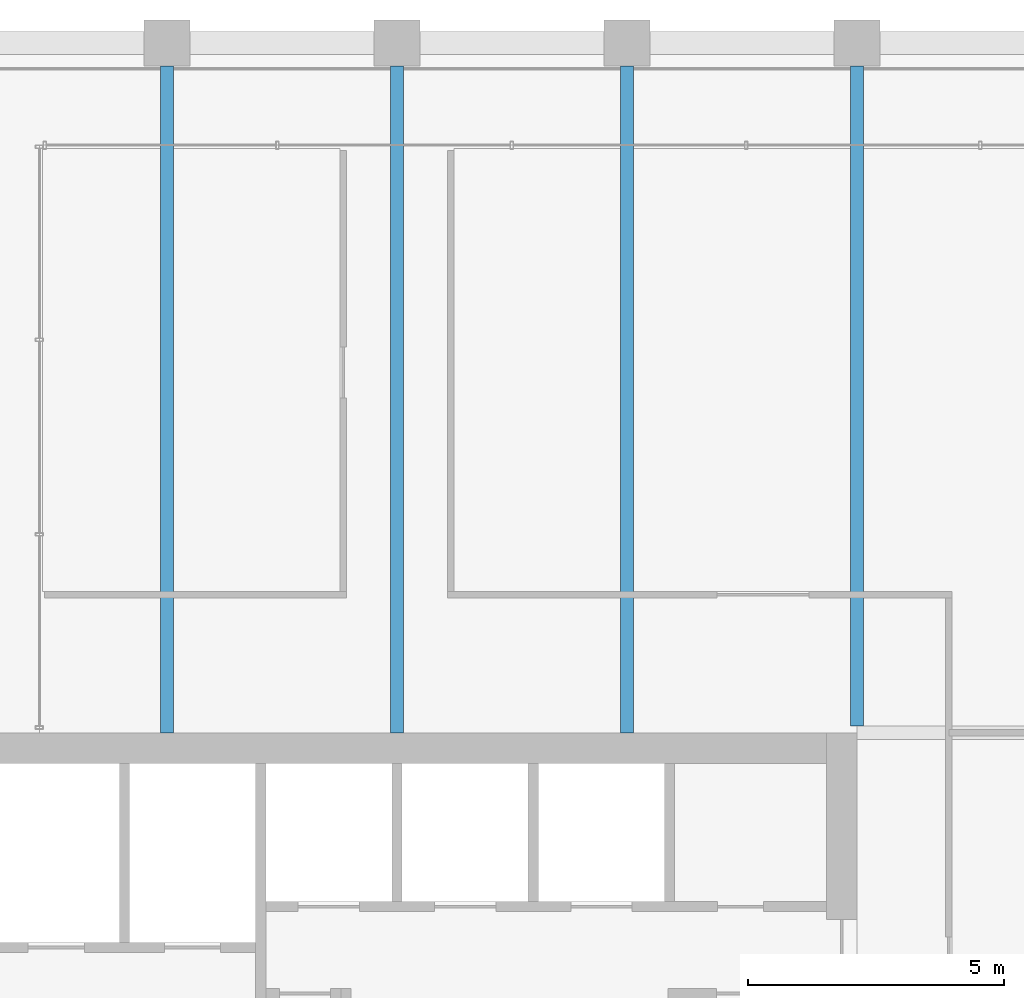
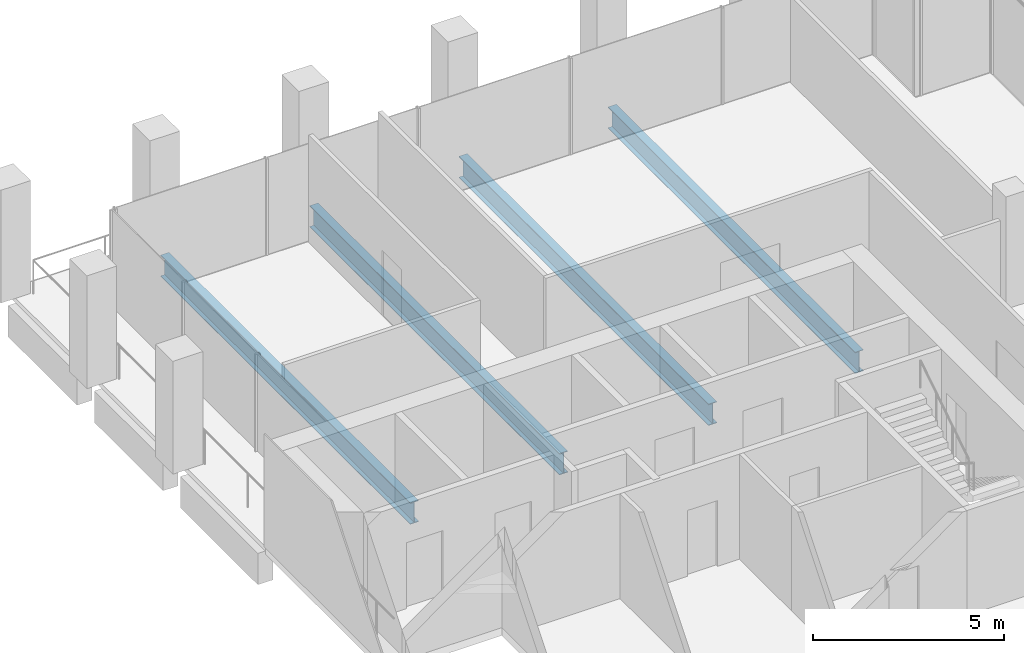
# One storey, part 22 of 40: 4 beams.
"""IFC4 building model written with IfcOpenShell, lengths in metres."""

from ifc_helpers import new_model, si_unit, direction, frame, origin, origin_2d, place, context, subcontext, project, spatial, i_section, extrude, material, material_profile, profile_set, type_object, element, save


model = new_model("IFC4")

# Units and contexts
model_context = context("Model", 3, precision=1e-05, world=origin(), true_north=direction((0.0, 1.0)))
body_context = subcontext(model_context, "Body", "Model", "MODEL_VIEW")
ifc_project = project(units=[si_unit("LENGTHUNIT", "METRE"), si_unit("AREAUNIT", "SQUARE_METRE"), si_unit("VOLUMEUNIT", "CUBIC_METRE"), si_unit("PLANEANGLEUNIT", "RADIAN"), si_unit("MASSUNIT", "GRAM", prefix="KILO")], contexts=[model_context])

# Site, building, storey
site_placement = place(None, origin())
site = spatial("IfcSite", under=ifc_project, at=site_placement, CompositionType="ELEMENT")
building_placement = place(site_placement, origin())
building = spatial("IfcBuilding", under=site, at=building_placement, Name="Altepetl Exchange Towers", CompositionType="ELEMENT")
storey_placement = place(building_placement, frame((0.0, 0.0, 161.800048828125)))
storey = spatial("IfcBuildingStorey", under=building, at=storey_placement, Name="L40", CompositionType="ELEMENT", Elevation=161.800048828125)

# Beams
ifc_material = material(Name="Steel S355", Category="steel")
ifc_material_profile = material_profile(ifc_material, i_section(OverallWidth=0.25390625, OverallDepth=0.68408203125, WebThickness=0.012451171875, FlangeThickness=0.018798828125, at=origin_2d()), Name="W27X94")
ifc_profile_set = profile_set([ifc_material_profile], Name="Steel S355")
beam_type = type_object("IfcBeamType", Name="Floor beam W27X94", PredefinedType="BEAM", material=ifc_profile_set)
for number, where, z_axis, x_axis, name in (
    (1, (45.0, 58.5, -0.491943359375), (0.0, 1.0, 0.0), (-1.0, 0.0, 0.0), "bm:A:L40:000"),
    (2, (49.5, 58.5, -0.491943359375), (0.0, 1.0, 0.0), (-1.0, 0.0, 0.0), "bm:A:L40:001"),
    (3, (54.0, 58.5, -0.491943359375), (0.0, 1.0, 0.0), (-1.0, 0.0, 0.0), "bm:A:L40:002"),
):
    element("IfcBeam", number, at=place(storey_placement, frame(where, z_axis=z_axis, x_axis=x_axis)), inside=storey, type_object=beam_type, Name=name, PredefinedType="BEAM", context=body_context, shape_type="SweptSolid", body=[
        extrude(i_section(OverallWidth=0.25390625, OverallDepth=0.68408203125, WebThickness=0.012451171875, FlangeThickness=0.018798828125, at=origin_2d()), origin(), (0.0, 0.0, 1.0), 13.050048828125),
    ])
beam_placement = place(storey_placement, frame((58.5, 58.634033203125, -0.491943359375), z_axis=(0.0, 1.0, 0.0), x_axis=(-1.0, 0.0, 0.0)))
element("IfcBeam", 4, at=beam_placement, inside=storey, type_object=beam_type, Name="bm:A:L40:003", PredefinedType="BEAM", context=body_context, shape_type="SweptSolid", body=[
    extrude(i_section(OverallWidth=0.25390625, OverallDepth=0.68408203125, WebThickness=0.012451171875, FlangeThickness=0.018798828125, at=origin_2d()), origin(), (0.0, 0.0, 1.0), 12.916015625),
])

save(model, "model.ifc")
